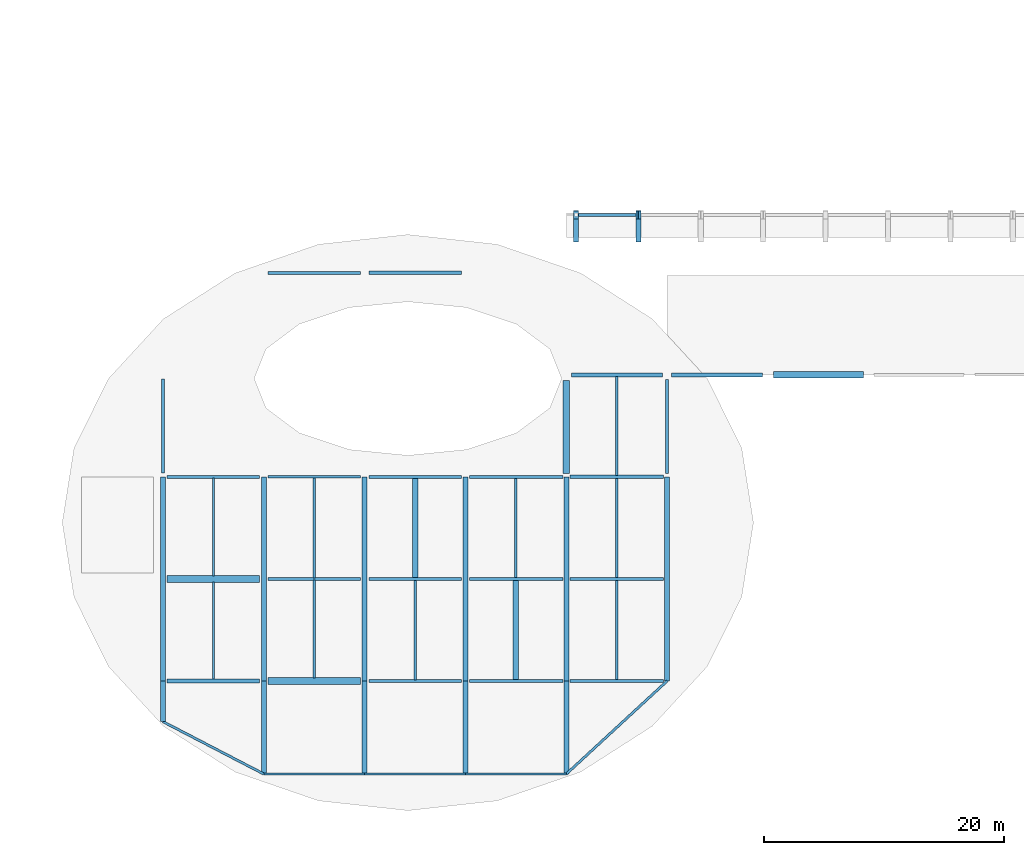
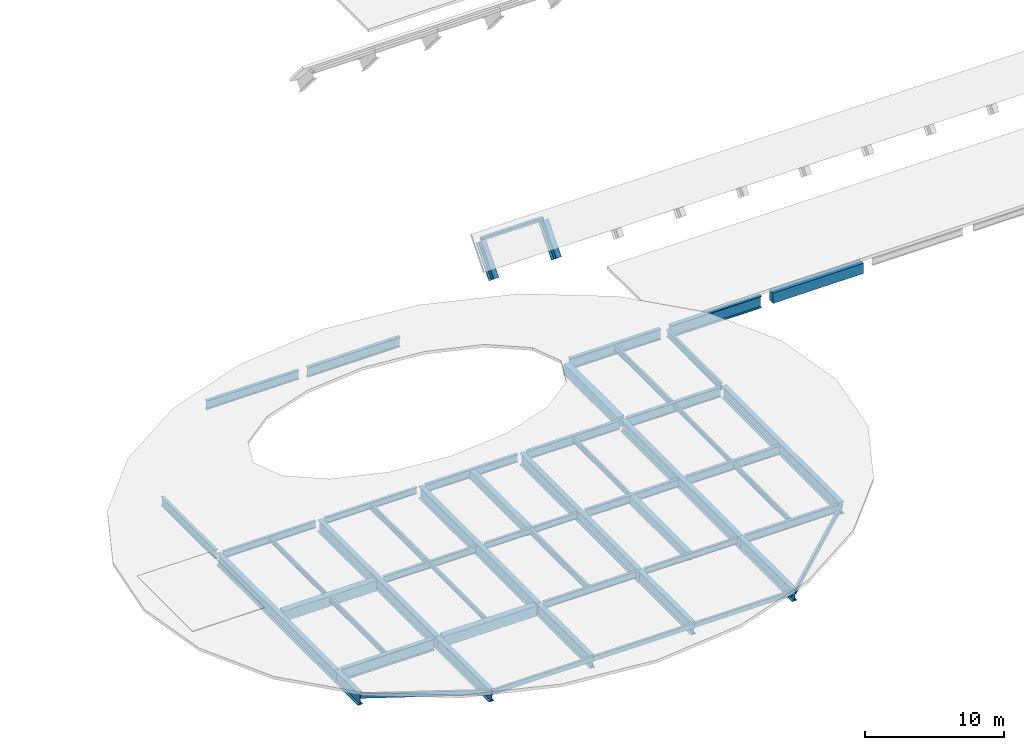
# One storey, part 3 of 13: 52 beams, 1 member.
"""IFC4 building model written with IfcOpenShell, lengths in metres."""

from ifc_helpers import new_model, si_unit, direction, frame, origin, origin_2d, place, context, subcontext, project, spatial, rectangle, hollow_rectangle, i_section, extrude, material, material_profile, profile_set, type_object, element, save


model = new_model("IFC4")

# Units and contexts
model_context = context("Model", 3, precision=1e-05, world=origin(), true_north=direction((0.0, 1.0)))
body_context = subcontext(model_context, "Body", "Model", "MODEL_VIEW")
ifc_project = project(units=[si_unit("LENGTHUNIT", "METRE"), si_unit("AREAUNIT", "SQUARE_METRE"), si_unit("VOLUMEUNIT", "CUBIC_METRE"), si_unit("PLANEANGLEUNIT", "RADIAN"), si_unit("MASSUNIT", "GRAM", prefix="KILO")], contexts=[model_context])

# Site, building, storey
site_placement = place(None, origin())
site = spatial("IfcSite", under=ifc_project, at=site_placement, CompositionType="ELEMENT")
building_placement = place(site_placement, origin())
building = spatial("IfcBuilding", under=site, at=building_placement, Name="Solvento Point Concert Hall", CompositionType="ELEMENT")
storey_placement = place(building_placement, frame((0.0, 0.0, 23.699951171875)))
storey = spatial("IfcBuildingStorey", under=building, at=storey_placement, Name="L05", CompositionType="ELEMENT", Elevation=23.699951171875)

# Beams
ifc_material_1 = material(Name="Structural Steel ASTM A992 Grade 50", Category="steel")
ifc_material_profile_1 = material_profile(ifc_material_1, i_section(OverallWidth=0.423095703125, OverallDepth=0.947998046875, WebThickness=0.02392578125, FlangeThickness=0.042724609375, at=origin_2d()), Name="W36X302")
ifc_profile_set_1 = profile_set([ifc_material_profile_1], Name="Structural Steel ASTM A992 Grade 50")
beam_type_1 = type_object("IfcBeamType", Name="ArchRib_W36X302", PredefinedType="BEAM", material=ifc_profile_set_1)
for number, where, z_axis, x_axis, name in (
    (1, (75.199951171875, 53.956298828125, -0.38330078125), (0.0, 0.644303065309, 0.76477026618), (-1.0, 0.0, 0.0), "Steel arch rib AR-01 bay 1 seg 3"),
    (2, (80.39990234375, 53.956298828125, -0.38330078125), (0.0, 0.644303065309, 0.76477026618), (-1.0, 0.0, 0.0), "Steel arch rib AR-01 bay 2 seg 3"),
):
    element("IfcBeam", number, at=place(storey_placement, frame(where, z_axis=z_axis, x_axis=x_axis)), inside=storey, type_object=beam_type_1, Name=name, PredefinedType="BEAM", context=body_context, shape_type="SweptSolid", body=[
        extrude(i_section(OverallWidth=0.423095703125, OverallDepth=0.947998046875, WebThickness=0.02392578125, FlangeThickness=0.042724609375, at=origin_2d()), origin(), (0.0, 0.0, 1.0), 2.92041015625),
    ])
ifc_material_2 = material(Name="Concrete C35/45", Category="concrete")
ifc_material_profile_2 = material_profile(ifc_material_2, rectangle(XDim=0.449951171875, YDim=0.75, at=origin_2d()), Name="RC-BM-450X750")
ifc_profile_set_2 = profile_set([ifc_material_profile_2], Name="Concrete C35/45")
beam_type_2 = type_object("IfcBeamType", Name="Beam_RC_450x750", PredefinedType="BEAM", material=ifc_profile_set_2)
for number, where, z_axis, x_axis, name in (
    (3, (61.800048828125, 25.592041015625, -0.62890625), (0.0, 1.0, 0.0), (-1.0, 0.0, 0.0), "Secondary floor joist B-28 L05"),
    (4, (70.199951171875, 17.092041015625, -0.62890625), (0.0, 1.0, 0.0), (-1.0, 0.0, 0.0), "Secondary floor joist B-28 L05"),
):
    element("IfcBeam", number, at=place(storey_placement, frame(where, z_axis=z_axis, x_axis=x_axis)), inside=storey, type_object=beam_type_2, Name=name, PredefinedType="BEAM", context=body_context, shape_type="SweptSolid", body=[
        extrude(rectangle(XDim=0.449951171875, YDim=0.75, at=origin_2d()), origin(), (0.0, 0.0, 1.0), 8.294921875),
    ])
ifc_material_3 = material(Name="Structural Steel ASTM A992 Grade 50", Category="steel")
ifc_material_profile_3 = material_profile(ifc_material_3, i_section(OverallWidth=0.20947265625, OverallDepth=0.532958984375, WebThickness=0.01025390625, FlangeThickness=0.015625, at=origin_2d()), Name="W21X62")
ifc_profile_set_3 = profile_set([ifc_material_profile_3], Name="Structural Steel ASTM A992 Grade 50")
beam_type_3 = type_object("IfcBeamType", Name="Beam_W21X62", PredefinedType="BEAM", material=ifc_profile_set_3)
for number, where, z_axis, x_axis, name in (
    (5, (53.39990234375, 25.59912109375, -0.5205078125), (0.0, 1.0, 0.0), (-1.0, 0.0, 0.0), "Secondary floor joist B-25 L05"),
    (6, (61.800048828125, 17.09912109375, -0.5205078125), (0.0, 1.0, 0.0), (-1.0, 0.0, 0.0), "Secondary floor joist B-25 L05"),
):
    element("IfcBeam", number, at=place(storey_placement, frame(where, z_axis=z_axis, x_axis=x_axis)), inside=storey, type_object=beam_type_3, Name=name, PredefinedType="BEAM", context=body_context, shape_type="SweptSolid", body=[
        extrude(i_section(OverallWidth=0.20947265625, OverallDepth=0.532958984375, WebThickness=0.01025390625, FlangeThickness=0.015625, at=origin_2d()), origin(), (0.0, 0.0, 1.0), 8.308837890625),
    ])
beam_1_placement = place(storey_placement, frame((78.60009765625, 34.131103515625, -0.5205078125), z_axis=(0.0, 1.0, 0.0), x_axis=(-1.0, 0.0, 0.0)))
element("IfcBeam", 7, at=beam_1_placement, inside=storey, type_object=beam_type_3, Name="Secondary floor joist B-25 L05", PredefinedType="BEAM", context=body_context, shape_type="SweptSolid", body=[
    extrude(i_section(OverallWidth=0.20947265625, OverallDepth=0.532958984375, WebThickness=0.01025390625, FlangeThickness=0.015625, at=origin_2d()), origin(), (0.0, 0.0, 1.0), 8.22998046875),
])
ifc_material_4 = material(Name="Structural Steel ASTM A992 Grade 50", Category="steel")
ifc_material_profile_4 = material_profile(ifc_material_4, i_section(OverallWidth=0.214111328125, OverallDepth=0.549072265625, WebThickness=0.0146484375, FlangeThickness=0.023681640625, at=origin_2d()), Name="W21X93")
ifc_profile_set_4 = profile_set([ifc_material_profile_4], Name="Structural Steel ASTM A992 Grade 50")
beam_type_4 = type_object("IfcBeamType", Name="Beam_W21X93", PredefinedType="BEAM", material=ifc_profile_set_4)
beam_2_placement = place(storey_placement, frame((66.343994140625, 17.0, -0.528564453125), z_axis=(1.0, 0.0, 0.0), x_axis=(0.0, 1.0, 0.0)))
element("IfcBeam", 8, at=beam_2_placement, inside=storey, type_object=beam_type_4, Name="Primary girder B-48 L05", PredefinedType="BEAM", context=body_context, shape_type="SweptSolid", body=[
    extrude(i_section(OverallWidth=0.214111328125, OverallDepth=0.549072265625, WebThickness=0.0146484375, FlangeThickness=0.023681640625, at=origin_2d()), origin(), (0.0, 0.0, 1.0), 7.761962890625),
])
beam_3_placement = place(storey_placement, frame((57.944091796875, 25.5, -0.528564453125), z_axis=(1.0, 0.0, 0.0), x_axis=(0.0, 1.0, 0.0)))
element("IfcBeam", 9, at=beam_3_placement, inside=storey, type_object=beam_type_4, Name="Primary girder B-48 L05", PredefinedType="BEAM", context=body_context, shape_type="SweptSolid", body=[
    extrude(i_section(OverallWidth=0.214111328125, OverallDepth=0.549072265625, WebThickness=0.0146484375, FlangeThickness=0.023681640625, at=origin_2d()), origin(), (0.0, 0.0, 1.0), 7.7119140625),
])
beam_4_placement = place(storey_placement, frame((49.5439453125, 34.0, -0.528564453125), z_axis=(1.0, 0.0, 0.0), x_axis=(0.0, 1.0, 0.0)))
element("IfcBeam", 10, at=beam_4_placement, inside=storey, type_object=beam_type_4, Name="Primary girder B-48 L05", PredefinedType="BEAM", context=body_context, shape_type="SweptSolid", body=[
    extrude(i_section(OverallWidth=0.214111328125, OverallDepth=0.549072265625, WebThickness=0.0146484375, FlangeThickness=0.023681640625, at=origin_2d()), origin(), (0.0, 0.0, 1.0), 7.712158203125),
])
ifc_material_5 = material(Name="Structural Steel ASTM A992 Grade 50", Category="steel")
ifc_material_profile_5 = material_profile(ifc_material_5, i_section(OverallWidth=0.228515625, OverallDepth=0.60791015625, WebThickness=0.01123046875, FlangeThickness=0.017333984375, at=origin_2d()), Name="W24X76")
ifc_profile_set_5 = profile_set([ifc_material_profile_5], Name="Structural Steel ASTM A992 Grade 50")
beam_type_5 = type_object("IfcBeamType", Name="Beam_W24X76", PredefinedType="BEAM", material=ifc_profile_set_5)
beam_5_placement = place(storey_placement, frame((57.944091796875, 17.0, -0.557861328125), z_axis=(1.0, 0.0, 0.0), x_axis=(0.0, 1.0, 0.0)))
element("IfcBeam", 11, at=beam_5_placement, inside=storey, type_object=beam_type_5, Name="Primary girder B-42 L05", PredefinedType="BEAM", context=body_context, shape_type="SweptSolid", body=[
    extrude(i_section(OverallWidth=0.228515625, OverallDepth=0.60791015625, WebThickness=0.01123046875, FlangeThickness=0.017333984375, at=origin_2d()), origin(), (0.0, 0.0, 1.0), 7.7119140625),
])
beam_6_placement = place(storey_placement, frame((49.5439453125, 25.5, -0.557861328125), z_axis=(1.0, 0.0, 0.0), x_axis=(0.0, 1.0, 0.0)))
element("IfcBeam", 12, at=beam_6_placement, inside=storey, type_object=beam_type_5, Name="Primary girder B-42 L05", PredefinedType="BEAM", context=body_context, shape_type="SweptSolid", body=[
    extrude(i_section(OverallWidth=0.228515625, OverallDepth=0.60791015625, WebThickness=0.01123046875, FlangeThickness=0.017333984375, at=origin_2d()), origin(), (0.0, 0.0, 1.0), 7.712158203125),
])
beam_7_placement = place(storey_placement, frame((41.14404296875, 34.0, -0.557861328125), z_axis=(1.0, 0.0, 0.0), x_axis=(0.0, 1.0, 0.0)))
element("IfcBeam", 13, at=beam_7_placement, inside=storey, type_object=beam_type_5, Name="Primary girder B-42 L05", PredefinedType="BEAM", context=body_context, shape_type="SweptSolid", body=[
    extrude(i_section(OverallWidth=0.228515625, OverallDepth=0.60791015625, WebThickness=0.01123046875, FlangeThickness=0.017333984375, at=origin_2d()), origin(), (0.0, 0.0, 1.0), 7.7119140625),
])
beam_8_placement = place(storey_placement, frame((82.800048828125, 34.2939453125, -0.557861328125), z_axis=(0.0, 1.0, 0.0), x_axis=(-1.0, 0.0, 0.0)))
element("IfcBeam", 14, at=beam_8_placement, inside=storey, type_object=beam_type_5, Name="Primary girder B-42 L05", PredefinedType="BEAM", context=body_context, shape_type="SweptSolid", body=[
    extrude(i_section(OverallWidth=0.228515625, OverallDepth=0.60791015625, WebThickness=0.01123046875, FlangeThickness=0.017333984375, at=origin_2d()), origin(), (0.0, 0.0, 1.0), 7.837158203125),
])
ifc_material_6 = material(Name="Structural Steel ASTM A992 Grade 50", Category="steel")
ifc_material_profile_6 = material_profile(ifc_material_6, i_section(OverallWidth=0.408935546875, OverallDepth=1.041015625, WebThickness=0.031005859375, FlangeThickness=0.04443359375, at=origin_2d()), Name="W40X397")
ifc_profile_set_6 = profile_set([ifc_material_profile_6], Name="Structural Steel ASTM A992 Grade 50")
beam_type_6 = type_object("IfcBeamType", Name="CantileverGirder_W40X397", PredefinedType="USERDEFINED", material=ifc_profile_set_6)
beam_9_placement = place(storey_placement, frame((40.800048828125, 34.0, -0.775390625), z_axis=(0.0, -1.0, 0.0), x_axis=(1.0, 0.0, 0.0)))
element("IfcBeam", 15, at=beam_9_placement, inside=storey, type_object=beam_type_6, Name="Radial back-span girder CG-01 L05", ObjectType="GIRDER", PredefinedType="USERDEFINED", context=body_context, shape_type="SweptSolid", body=[
    extrude(i_section(OverallWidth=0.408935546875, OverallDepth=1.041015625, WebThickness=0.031005859375, FlangeThickness=0.04443359375, at=origin_2d()), origin(), (0.0, 0.0, 1.0), 17.0),
])
beam_10_placement = place(storey_placement, frame((40.800048828125, 17.0, -0.775390625), z_axis=(0.0, -1.0, 0.0), x_axis=(1.0, 0.0, 0.0)))
element("IfcBeam", 16, at=beam_10_placement, inside=storey, type_object=beam_type_6, Name="Radial cantilever girder CG-01 L05", ObjectType="GIRDER", PredefinedType="USERDEFINED", context=body_context, shape_type="SweptSolid", body=[
    extrude(i_section(OverallWidth=0.408935546875, OverallDepth=1.041015625, WebThickness=0.031005859375, FlangeThickness=0.04443359375, at=origin_2d()), origin(), (0.0, 0.0, 1.0), 3.39111328125),
])
beam_11_placement = place(storey_placement, frame((49.199951171875, 34.0, -0.775390625), z_axis=(0.0, -1.0, 0.0), x_axis=(1.0, 0.0, 0.0)))
element("IfcBeam", 17, at=beam_11_placement, inside=storey, type_object=beam_type_6, Name="Radial back-span girder CG-01 L05", ObjectType="GIRDER", PredefinedType="USERDEFINED", context=body_context, shape_type="SweptSolid", body=[
    extrude(i_section(OverallWidth=0.408935546875, OverallDepth=1.041015625, WebThickness=0.031005859375, FlangeThickness=0.04443359375, at=origin_2d()), origin(), (0.0, 0.0, 1.0), 17.0),
])
beam_12_placement = place(storey_placement, frame((49.199951171875, 17.0, -0.775390625), z_axis=(0.0, -1.0, 0.0), x_axis=(1.0, 0.0, 0.0)))
element("IfcBeam", 18, at=beam_12_placement, inside=storey, type_object=beam_type_6, Name="Radial cantilever girder CG-01 L05", ObjectType="GIRDER", PredefinedType="USERDEFINED", context=body_context, shape_type="SweptSolid", body=[
    extrude(i_section(OverallWidth=0.408935546875, OverallDepth=1.041015625, WebThickness=0.031005859375, FlangeThickness=0.04443359375, at=origin_2d()), origin(), (0.0, 0.0, 1.0), 7.75),
])
beam_13_placement = place(storey_placement, frame((57.60009765625, 34.0, -0.775390625), z_axis=(0.0, -1.0, 0.0), x_axis=(1.0, 0.0, 0.0)))
element("IfcBeam", 19, at=beam_13_placement, inside=storey, type_object=beam_type_6, Name="Radial back-span girder CG-01 L05", ObjectType="GIRDER", PredefinedType="USERDEFINED", context=body_context, shape_type="SweptSolid", body=[
    extrude(i_section(OverallWidth=0.408935546875, OverallDepth=1.041015625, WebThickness=0.031005859375, FlangeThickness=0.04443359375, at=origin_2d()), origin(), (0.0, 0.0, 1.0), 17.0),
])
beam_14_placement = place(storey_placement, frame((57.60009765625, 17.0, -0.775390625), z_axis=(0.0, -1.0, 0.0), x_axis=(1.0, 0.0, 0.0)))
element("IfcBeam", 20, at=beam_14_placement, inside=storey, type_object=beam_type_6, Name="Radial cantilever girder CG-01 L05", ObjectType="GIRDER", PredefinedType="USERDEFINED", context=body_context, shape_type="SweptSolid", body=[
    extrude(i_section(OverallWidth=0.408935546875, OverallDepth=1.041015625, WebThickness=0.031005859375, FlangeThickness=0.04443359375, at=origin_2d()), origin(), (0.0, 0.0, 1.0), 7.75),
])
beam_15_placement = place(storey_placement, frame((66.0, 34.0, -0.775390625), z_axis=(0.0, -1.0, 0.0), x_axis=(1.0, 0.0, 0.0)))
element("IfcBeam", 21, at=beam_15_placement, inside=storey, type_object=beam_type_6, Name="Radial back-span girder CG-01 L05", ObjectType="GIRDER", PredefinedType="USERDEFINED", context=body_context, shape_type="SweptSolid", body=[
    extrude(i_section(OverallWidth=0.408935546875, OverallDepth=1.041015625, WebThickness=0.031005859375, FlangeThickness=0.04443359375, at=origin_2d()), origin(), (0.0, 0.0, 1.0), 17.0),
])
beam_16_placement = place(storey_placement, frame((66.0, 17.0, -0.775390625), z_axis=(0.0, -1.0, 0.0), x_axis=(1.0, 0.0, 0.0)))
element("IfcBeam", 22, at=beam_16_placement, inside=storey, type_object=beam_type_6, Name="Radial cantilever girder CG-01 L05", ObjectType="GIRDER", PredefinedType="USERDEFINED", context=body_context, shape_type="SweptSolid", body=[
    extrude(i_section(OverallWidth=0.408935546875, OverallDepth=1.041015625, WebThickness=0.031005859375, FlangeThickness=0.04443359375, at=origin_2d()), origin(), (0.0, 0.0, 1.0), 7.75),
])
beam_17_placement = place(storey_placement, frame((74.39990234375, 34.0, -0.775390625), z_axis=(0.0, -1.0, 0.0), x_axis=(1.0, 0.0, 0.0)))
element("IfcBeam", 23, at=beam_17_placement, inside=storey, type_object=beam_type_6, Name="Radial back-span girder CG-01 L05", ObjectType="GIRDER", PredefinedType="USERDEFINED", context=body_context, shape_type="SweptSolid", body=[
    extrude(i_section(OverallWidth=0.408935546875, OverallDepth=1.041015625, WebThickness=0.031005859375, FlangeThickness=0.04443359375, at=origin_2d()), origin(), (0.0, 0.0, 1.0), 17.0),
])
beam_18_placement = place(storey_placement, frame((74.39990234375, 17.0, -0.775390625), z_axis=(0.0, -1.0, 0.0), x_axis=(1.0, 0.0, 0.0)))
element("IfcBeam", 24, at=beam_18_placement, inside=storey, type_object=beam_type_6, Name="Radial cantilever girder CG-01 L05", ObjectType="GIRDER", PredefinedType="USERDEFINED", context=body_context, shape_type="SweptSolid", body=[
    extrude(i_section(OverallWidth=0.408935546875, OverallDepth=1.041015625, WebThickness=0.031005859375, FlangeThickness=0.04443359375, at=origin_2d()), origin(), (0.0, 0.0, 1.0), 7.75),
])
beam_19_placement = place(storey_placement, frame((82.800048828125, 34.0, -0.775390625), z_axis=(0.0, -1.0, 0.0), x_axis=(1.0, 0.0, 0.0)))
element("IfcBeam", 25, at=beam_19_placement, inside=storey, type_object=beam_type_6, Name="Radial back-span girder CG-01 L05", ObjectType="GIRDER", PredefinedType="USERDEFINED", context=body_context, shape_type="SweptSolid", body=[
    extrude(i_section(OverallWidth=0.408935546875, OverallDepth=1.041015625, WebThickness=0.031005859375, FlangeThickness=0.04443359375, at=origin_2d()), origin(), (0.0, 0.0, 1.0), 17.0),
])
ifc_material_7 = material(Name="Concrete C35/45", Category="concrete")
ifc_material_profile_7 = material_profile(ifc_material_7, rectangle(XDim=0.550048828125, YDim=0.89990234375, at=origin_2d()), Name="RC-BM-550X900")
ifc_profile_set_7 = profile_set([ifc_material_profile_7], Name="Concrete C35/45")
beam_type_7 = type_object("IfcBeamType", Name="Girder_RC_550x900", PredefinedType="USERDEFINED", material=ifc_profile_set_7)
beam_20_placement = place(storey_placement, frame((49.5439453125, 17.0, -0.703857421875), z_axis=(1.0, 0.0, 0.0), x_axis=(0.0, 1.0, 0.0)))
element("IfcBeam", 26, at=beam_20_placement, inside=storey, type_object=beam_type_7, Name="Primary girder B-39 L05", ObjectType="GIRDER", PredefinedType="USERDEFINED", context=body_context, shape_type="SweptSolid", body=[
    extrude(rectangle(XDim=0.550048828125, YDim=0.89990234375, at=origin_2d()), origin(), (0.0, 0.0, 1.0), 7.712158203125),
])
beam_21_placement = place(storey_placement, frame((41.14404296875, 25.5, -0.703857421875), z_axis=(1.0, 0.0, 0.0), x_axis=(0.0, 1.0, 0.0)))
element("IfcBeam", 27, at=beam_21_placement, inside=storey, type_object=beam_type_7, Name="Primary girder B-39 L05", ObjectType="GIRDER", PredefinedType="USERDEFINED", context=body_context, shape_type="SweptSolid", body=[
    extrude(rectangle(XDim=0.550048828125, YDim=0.89990234375, at=origin_2d()), origin(), (0.0, 0.0, 1.0), 7.7119140625),
])
beam_22_placement = place(storey_placement, frame((91.64404296875, 42.5, -0.7138671875), z_axis=(1.0, 0.0, 0.0), x_axis=(0.0, 1.0, 0.0)))
element("IfcBeam", 28, at=beam_22_placement, inside=storey, type_object=beam_type_7, Name="Primary girder B-39 L05", ObjectType="GIRDER", PredefinedType="USERDEFINED", context=body_context, shape_type="SweptSolid", body=[
    extrude(rectangle(XDim=0.550048828125, YDim=0.89990234375, at=origin_2d()), origin(), (0.0, 0.0, 1.0), 7.511962890625),
])
beam_23_placement = place(storey_placement, frame((74.39990234375, 34.2939453125, -0.703857421875), z_axis=(0.0, 1.0, 0.0), x_axis=(-1.0, 0.0, 0.0)))
element("IfcBeam", 29, at=beam_23_placement, inside=storey, type_object=beam_type_7, Name="Primary girder B-39 L05", ObjectType="GIRDER", PredefinedType="USERDEFINED", context=body_context, shape_type="SweptSolid", body=[
    extrude(rectangle(XDim=0.550048828125, YDim=0.89990234375, at=origin_2d()), origin(), (0.0, 0.0, 1.0), 7.761962890625),
])
ifc_material_8 = material(Name="Structural Steel ASTM A992 Grade 50", Category="steel")
ifc_material_profile_8 = material_profile(ifc_material_8, i_section(OverallWidth=0.256103515625, OverallDepth=0.693115234375, WebThickness=0.014404296875, FlangeThickness=0.023681640625, at=origin_2d()), Name="W27X114")
ifc_profile_set_8 = profile_set([ifc_material_profile_8], Name="Structural Steel ASTM A992 Grade 50")
beam_type_8 = type_object("IfcBeamType", Name="Girder_W27X114", PredefinedType="USERDEFINED", material=ifc_profile_set_8)
beam_24_placement = place(storey_placement, frame((74.694091796875, 17.0, -0.600341796875), z_axis=(1.0, 0.0, 0.0), x_axis=(0.0, 1.0, 0.0)))
element("IfcBeam", 30, at=beam_24_placement, inside=storey, type_object=beam_type_8, Name="Primary girder B-23 L05", ObjectType="GIRDER", PredefinedType="USERDEFINED", context=body_context, shape_type="SweptSolid", body=[
    extrude(i_section(OverallWidth=0.256103515625, OverallDepth=0.693115234375, WebThickness=0.014404296875, FlangeThickness=0.023681640625, at=origin_2d()), origin(), (0.0, 0.0, 1.0), 7.81201171875),
])
beam_25_placement = place(storey_placement, frame((66.343994140625, 25.5, -0.600341796875), z_axis=(1.0, 0.0, 0.0), x_axis=(0.0, 1.0, 0.0)))
element("IfcBeam", 31, at=beam_25_placement, inside=storey, type_object=beam_type_8, Name="Primary girder B-23 L05", ObjectType="GIRDER", PredefinedType="USERDEFINED", context=body_context, shape_type="SweptSolid", body=[
    extrude(i_section(OverallWidth=0.256103515625, OverallDepth=0.693115234375, WebThickness=0.014404296875, FlangeThickness=0.023681640625, at=origin_2d()), origin(), (0.0, 0.0, 1.0), 7.761962890625),
])
beam_26_placement = place(storey_placement, frame((57.944091796875, 34.0, -0.600341796875), z_axis=(1.0, 0.0, 0.0), x_axis=(0.0, 1.0, 0.0)))
element("IfcBeam", 32, at=beam_26_placement, inside=storey, type_object=beam_type_8, Name="Primary girder B-23 L05", ObjectType="GIRDER", PredefinedType="USERDEFINED", context=body_context, shape_type="SweptSolid", body=[
    extrude(i_section(OverallWidth=0.256103515625, OverallDepth=0.693115234375, WebThickness=0.014404296875, FlangeThickness=0.023681640625, at=origin_2d()), origin(), (0.0, 0.0, 1.0), 7.7119140625),
])
ifc_material_9 = material(Name="Structural Steel ASTM A992 Grade 50", Category="steel")
ifc_material_profile_9 = material_profile(ifc_material_9, i_section(OverallWidth=0.26806640625, OverallDepth=0.77001953125, WebThickness=0.015625, FlangeThickness=0.025390625, at=origin_2d()), Name="W30X132")
ifc_profile_set_9 = profile_set([ifc_material_profile_9], Name="Structural Steel ASTM A992 Grade 50")
beam_type_9 = type_object("IfcBeamType", Name="Girder_W30X132", PredefinedType="USERDEFINED", material=ifc_profile_set_9)
beam_27_placement = place(storey_placement, frame((74.694091796875, 25.5, -0.638916015625), z_axis=(1.0, 0.0, 0.0), x_axis=(0.0, 1.0, 0.0)))
element("IfcBeam", 33, at=beam_27_placement, inside=storey, type_object=beam_type_9, Name="Primary girder B-68 L05", ObjectType="GIRDER", PredefinedType="USERDEFINED", context=body_context, shape_type="SweptSolid", body=[
    extrude(i_section(OverallWidth=0.26806640625, OverallDepth=0.77001953125, WebThickness=0.015625, FlangeThickness=0.025390625, at=origin_2d()), origin(), (0.0, 0.0, 1.0), 7.81201171875),
])
beam_28_placement = place(storey_placement, frame((66.343994140625, 34.0, -0.638916015625), z_axis=(1.0, 0.0, 0.0), x_axis=(0.0, 1.0, 0.0)))
element("IfcBeam", 34, at=beam_28_placement, inside=storey, type_object=beam_type_9, Name="Primary girder B-68 L05", ObjectType="GIRDER", PredefinedType="USERDEFINED", context=body_context, shape_type="SweptSolid", body=[
    extrude(i_section(OverallWidth=0.26806640625, OverallDepth=0.77001953125, WebThickness=0.015625, FlangeThickness=0.025390625, at=origin_2d()), origin(), (0.0, 0.0, 1.0), 7.761962890625),
])
beam_29_placement = place(storey_placement, frame((49.5439453125, 51.0, -0.638916015625), z_axis=(1.0, 0.0, 0.0), x_axis=(0.0, 1.0, 0.0)))
element("IfcBeam", 35, at=beam_29_placement, inside=storey, type_object=beam_type_9, Name="Primary girder B-68 L05", ObjectType="GIRDER", PredefinedType="USERDEFINED", context=body_context, shape_type="SweptSolid", body=[
    extrude(i_section(OverallWidth=0.26806640625, OverallDepth=0.77001953125, WebThickness=0.015625, FlangeThickness=0.025390625, at=origin_2d()), origin(), (0.0, 0.0, 1.0), 7.712158203125),
])
beam_30_placement = place(storey_placement, frame((40.800048828125, 34.343994140625, -0.638916015625), z_axis=(0.0, 1.0, 0.0), x_axis=(-1.0, 0.0, 0.0)))
element("IfcBeam", 36, at=beam_30_placement, inside=storey, type_object=beam_type_9, Name="Primary girder B-68 L05", ObjectType="GIRDER", PredefinedType="USERDEFINED", context=body_context, shape_type="SweptSolid", body=[
    extrude(i_section(OverallWidth=0.26806640625, OverallDepth=0.77001953125, WebThickness=0.015625, FlangeThickness=0.025390625, at=origin_2d()), origin(), (0.0, 0.0, 1.0), 7.81201171875),
])
ifc_material_10 = material(Name="Structural Steel ASTM A992 Grade 50", Category="steel")
ifc_material_profile_10 = material_profile(ifc_material_10, i_section(OverallWidth=0.2919921875, OverallDepth=0.85888671875, WebThickness=0.01708984375, FlangeThickness=0.031005859375, at=origin_2d()), Name="W33X169")
ifc_profile_set_10 = profile_set([ifc_material_profile_10], Name="Structural Steel ASTM A992 Grade 50")
beam_type_10 = type_object("IfcBeamType", Name="Girder_W33X169", PredefinedType="USERDEFINED", material=ifc_profile_set_10)
beam_31_placement = place(storey_placement, frame((74.694091796875, 34.0, -0.683349609375), z_axis=(1.0, 0.0, 0.0), x_axis=(0.0, 1.0, 0.0)))
element("IfcBeam", 37, at=beam_31_placement, inside=storey, type_object=beam_type_10, Name="Primary girder B-33 L05", ObjectType="GIRDER", PredefinedType="USERDEFINED", context=body_context, shape_type="SweptSolid", body=[
    extrude(i_section(OverallWidth=0.2919921875, OverallDepth=0.85888671875, WebThickness=0.01708984375, FlangeThickness=0.031005859375, at=origin_2d()), origin(), (0.0, 0.0, 1.0), 7.81201171875),
])
beam_32_placement = place(storey_placement, frame((57.944091796875, 51.0, -0.683349609375), z_axis=(1.0, 0.0, 0.0), x_axis=(0.0, 1.0, 0.0)))
element("IfcBeam", 38, at=beam_32_placement, inside=storey, type_object=beam_type_10, Name="Primary girder B-33 L05", ObjectType="GIRDER", PredefinedType="USERDEFINED", context=body_context, shape_type="SweptSolid", body=[
    extrude(i_section(OverallWidth=0.2919921875, OverallDepth=0.85888671875, WebThickness=0.01708984375, FlangeThickness=0.031005859375, at=origin_2d()), origin(), (0.0, 0.0, 1.0), 7.7119140625),
])
ifc_material_11 = material(Name="Structural Steel ASTM A992 Grade 50", Category="steel")
ifc_material_profile_11 = material_profile(ifc_material_11, i_section(OverallWidth=0.3076171875, OverallDepth=0.927001953125, WebThickness=0.019287109375, FlangeThickness=0.031982421875, at=origin_2d()), Name="W36X194")
ifc_profile_set_11 = profile_set([ifc_material_profile_11], Name="Structural Steel ASTM A992 Grade 50")
beam_type_11 = type_object("IfcBeamType", Name="Girder_W36X194", PredefinedType="USERDEFINED", material=ifc_profile_set_11)
beam_33_placement = place(storey_placement, frame((74.843994140625, 42.5, -0.717529296875), z_axis=(1.0, 0.0, 0.0), x_axis=(0.0, 1.0, 0.0)))
element("IfcBeam", 39, at=beam_33_placement, inside=storey, type_object=beam_type_11, Name="Primary girder B-61 L05", ObjectType="GIRDER", PredefinedType="USERDEFINED", context=body_context, shape_type="SweptSolid", body=[
    extrude(i_section(OverallWidth=0.3076171875, OverallDepth=0.927001953125, WebThickness=0.019287109375, FlangeThickness=0.031982421875, at=origin_2d()), origin(), (0.0, 0.0, 1.0), 7.5869140625),
])
ifc_material_12 = material(Name="Structural Steel ASTM A992 Grade 50", Category="steel")
ifc_material_profile_12 = material_profile(ifc_material_12, i_section(OverallWidth=0.361083984375, OverallDepth=1.02587890625, WebThickness=0.01904296875, FlangeThickness=0.0361328125, at=origin_2d()), Name="W40X249")
ifc_profile_set_12 = profile_set([ifc_material_profile_12], Name="Structural Steel ASTM A992 Grade 50")
beam_type_12 = type_object("IfcBeamType", Name="Girder_W40X249", PredefinedType="USERDEFINED", material=ifc_profile_set_12)
beam_34_placement = place(storey_placement, frame((41.14404296875, 17.0, -0.766845703125), z_axis=(1.0, 0.0, 0.0), x_axis=(0.0, 1.0, 0.0)))
element("IfcBeam", 40, at=beam_34_placement, inside=storey, type_object=beam_type_12, Name="Primary girder B-29 L05", ObjectType="GIRDER", PredefinedType="USERDEFINED", context=body_context, shape_type="SweptSolid", body=[
    extrude(i_section(OverallWidth=0.361083984375, OverallDepth=1.02587890625, WebThickness=0.01904296875, FlangeThickness=0.0361328125, at=origin_2d()), origin(), (0.0, 0.0, 1.0), 7.7119140625),
])
beam_35_placement = place(storey_placement, frame((83.1689453125, 42.5, -0.77685546875), z_axis=(1.0, 0.0, 0.0), x_axis=(0.0, 1.0, 0.0)))
element("IfcBeam", 41, at=beam_35_placement, inside=storey, type_object=beam_type_12, Name="Primary girder B-29 L05", ObjectType="GIRDER", PredefinedType="USERDEFINED", context=body_context, shape_type="SweptSolid", body=[
    extrude(i_section(OverallWidth=0.361083984375, OverallDepth=1.02587890625, WebThickness=0.01904296875, FlangeThickness=0.0361328125, at=origin_2d()), origin(), (0.0, 0.0, 1.0), 7.587158203125),
])
ifc_material_13 = material(Name="Structural Steel ASTM A992 Grade 50", Category="steel")
ifc_material_profile_13 = material_profile(ifc_material_13, i_section(OverallWidth=0.177490234375, OverallDepth=0.403076171875, WebThickness=0.007568359375, FlangeThickness=0.010986328125, at=origin_2d()), Name="W16X36")
ifc_profile_set_13 = profile_set([ifc_material_profile_13], Name="Structural Steel ASTM A992 Grade 50")
beam_type_13 = type_object("IfcBeamType", Name="Joist_W16X36", PredefinedType="JOIST", material=ifc_profile_set_13)
for number, where, z_axis, x_axis, name in (
    (42, (45.0, 25.760009765625, -0.45556640625), (0.0, 1.0, 0.0), (-1.0, 0.0, 0.0), "Secondary floor joist B-30 L05"),
    (43, (53.39990234375, 17.260009765625, -0.45556640625), (0.0, 1.0, 0.0), (-1.0, 0.0, 0.0), "Secondary floor joist B-30 L05"),
):
    element("IfcBeam", number, at=place(storey_placement, frame(where, z_axis=z_axis, x_axis=x_axis)), inside=storey, type_object=beam_type_13, Name=name, PredefinedType="JOIST", context=body_context, shape_type="SweptSolid", body=[
        extrude(i_section(OverallWidth=0.177490234375, OverallDepth=0.403076171875, WebThickness=0.007568359375, FlangeThickness=0.010986328125, at=origin_2d()), origin(), (0.0, 0.0, 1.0), 8.140869140625),
    ])
beam_36_placement = place(storey_placement, frame((78.60009765625, 25.618896484375, -0.45556640625), z_axis=(0.0, 1.0, 0.0), x_axis=(-1.0, 0.0, 0.0)))
element("IfcBeam", 44, at=beam_36_placement, inside=storey, type_object=beam_type_13, Name="Secondary floor joist B-30 L05", PredefinedType="JOIST", context=body_context, shape_type="SweptSolid", body=[
    extrude(i_section(OverallWidth=0.177490234375, OverallDepth=0.403076171875, WebThickness=0.007568359375, FlangeThickness=0.010986328125, at=origin_2d()), origin(), (0.0, 0.0, 1.0), 8.25),
])
ifc_material_14 = material(Name="Structural Steel ASTM A992 Grade 50", Category="steel")
ifc_material_profile_14 = material_profile(ifc_material_14, i_section(OverallWidth=0.1904296875, OverallDepth=0.45703125, WebThickness=0.009033203125, FlangeThickness=0.014404296875, at=origin_2d()), Name="W18X50")
ifc_profile_set_14 = profile_set([ifc_material_profile_14], Name="Structural Steel ASTM A992 Grade 50")
beam_type_14 = type_object("IfcBeamType", Name="Joist_W18X50", PredefinedType="JOIST", material=ifc_profile_set_14)
beam_37_placement = place(storey_placement, frame((45.0, 17.16552734375, -0.482421875), z_axis=(0.0, 1.0, 0.0), x_axis=(-1.0, 0.0, 0.0)))
element("IfcBeam", 45, at=beam_37_placement, inside=storey, type_object=beam_type_14, Name="Secondary floor joist B-66 L05", PredefinedType="JOIST", context=body_context, shape_type="SweptSolid", body=[
    extrude(i_section(OverallWidth=0.1904296875, OverallDepth=0.45703125, WebThickness=0.009033203125, FlangeThickness=0.014404296875, at=origin_2d()), origin(), (0.0, 0.0, 1.0), 8.074462890625),
])
for number, where, z_axis, x_axis, name in (
    (46, (70.199951171875, 25.613037109375, -0.482421875), (0.0, 1.0, 0.0), (-1.0, 0.0, 0.0), "Secondary floor joist B-66 L05"),
    (47, (78.60009765625, 17.113037109375, -0.482421875), (0.0, 1.0, 0.0), (-1.0, 0.0, 0.0), "Secondary floor joist B-66 L05"),
):
    element("IfcBeam", number, at=place(storey_placement, frame(where, z_axis=z_axis, x_axis=x_axis)), inside=storey, type_object=beam_type_14, Name=name, PredefinedType="JOIST", context=body_context, shape_type="SweptSolid", body=[
        extrude(i_section(OverallWidth=0.1904296875, OverallDepth=0.45703125, WebThickness=0.009033203125, FlangeThickness=0.014404296875, at=origin_2d()), origin(), (0.0, 0.0, 1.0), 8.26806640625),
    ])
ifc_material_15 = material(Name="Structural Steel ASTM A500 Grade C", Category="steel")
ifc_material_profile_15 = material_profile(ifc_material_15, hollow_rectangle(XDim=0.203125, YDim=0.406494140625, WallThickness=0.01171875, at=origin_2d()), Name="HSS16X8X1/2")
ifc_profile_set_15 = profile_set([ifc_material_profile_15], Name="Structural Steel ASTM A500 Grade C")
beam_type_15 = type_object("IfcBeamType", Name="RingBeam_HSS16X8", PredefinedType="SPANDREL", material=ifc_profile_set_15)
beam_38_placement = place(storey_placement, frame((40.800048828125, 13.60888671875, -0.45703125), z_axis=(0.887608455746, -0.460598772565, 0.0), x_axis=(0.460598772565, 0.887608455746, 0.0)))
element("IfcBeam", 48, at=beam_38_placement, inside=storey, type_object=beam_type_15, Name="Elliptical perimeter ring beam RB-01 L05", PredefinedType="SPANDREL", context=body_context, shape_type="SweptSolid", body=[
    extrude(hollow_rectangle(XDim=0.203125, YDim=0.406494140625, WallThickness=0.01171875, at=origin_2d()), origin(), (0.0, 0.0, 1.0), 9.463623046875),
])
beam_39_placement = place(storey_placement, frame((49.199951171875, 9.25, -0.45703125), z_axis=(1.0, 0.0, 0.0), x_axis=(0.0, 1.0, 0.0)))
element("IfcBeam", 49, at=beam_39_placement, inside=storey, type_object=beam_type_15, Name="Elliptical perimeter ring beam RB-01 L05", PredefinedType="SPANDREL", context=body_context, shape_type="SweptSolid", body=[
    extrude(hollow_rectangle(XDim=0.203125, YDim=0.406494140625, WallThickness=0.01171875, at=origin_2d()), origin(), (0.0, 0.0, 1.0), 8.400146484375),
])
for number, where, z_axis, x_axis, name in (
    (50, (57.60009765625, 9.25, -0.45703125), (1.0, 0.0, 0.0), (0.0, 1.0, 0.0), "Elliptical perimeter ring beam RB-01 L05"),
    (51, (66.0, 9.25, -0.45703125), (1.0, 0.0, 0.0), (0.0, 1.0, 0.0), "Elliptical perimeter ring beam RB-01 L05"),
):
    element("IfcBeam", number, at=place(storey_placement, frame(where, z_axis=z_axis, x_axis=x_axis)), inside=storey, type_object=beam_type_15, Name=name, PredefinedType="SPANDREL", context=body_context, shape_type="SweptSolid", body=[
        extrude(hollow_rectangle(XDim=0.203125, YDim=0.406494140625, WallThickness=0.01171875, at=origin_2d()), origin(), (0.0, 0.0, 1.0), 8.39990234375),
    ])
beam_40_placement = place(storey_placement, frame((74.39990234375, 9.25, -0.45703125), z_axis=(0.734977040548, 0.678091992186, 0.0), x_axis=(-0.678091992186, 0.734977040548, 0.0)))
element("IfcBeam", 52, at=beam_40_placement, inside=storey, type_object=beam_type_15, Name="Elliptical perimeter ring beam RB-01 L05", PredefinedType="SPANDREL", context=body_context, shape_type="SweptSolid", body=[
    extrude(hollow_rectangle(XDim=0.203125, YDim=0.406494140625, WallThickness=0.01171875, at=origin_2d()), origin(), (0.0, 0.0, 1.0), 11.42919921875),
])

# Member
ifc_material_16 = material(Name="Structural Steel ASTM A500 Grade C", Category="steel")
ifc_material_profile_16 = material_profile(ifc_material_16, hollow_rectangle(XDim=0.25390625, YDim=0.25390625, WallThickness=0.01171875, at=origin_2d()), Name="HSS10X10X1/2")
ifc_profile_set_16 = profile_set([ifc_material_profile_16], Name="Structural Steel ASTM A500 Grade C")
member_type = type_object("IfcMemberType", Name="ShellPurlin_HSS10", PredefinedType="PURLIN", material=ifc_profile_set_16)
member_placement = place(storey_placement, frame((75.215087890625, 55.837890625, 2.02001953125), z_axis=(1.0, 0.0, 0.0), x_axis=(0.0, 1.0, 0.0)))
element("IfcMember", 53, at=member_placement, inside=storey, type_object=member_type, Name="Acoustic shell steel purlin M-49", PredefinedType="PURLIN", context=body_context, shape_type="SweptSolid", body=[
    extrude(hollow_rectangle(XDim=0.25390625, YDim=0.25390625, WallThickness=0.01171875, at=origin_2d()), origin(), (0.0, 0.0, 1.0), 5.169921875),
])

save(model, "model.ifc")
